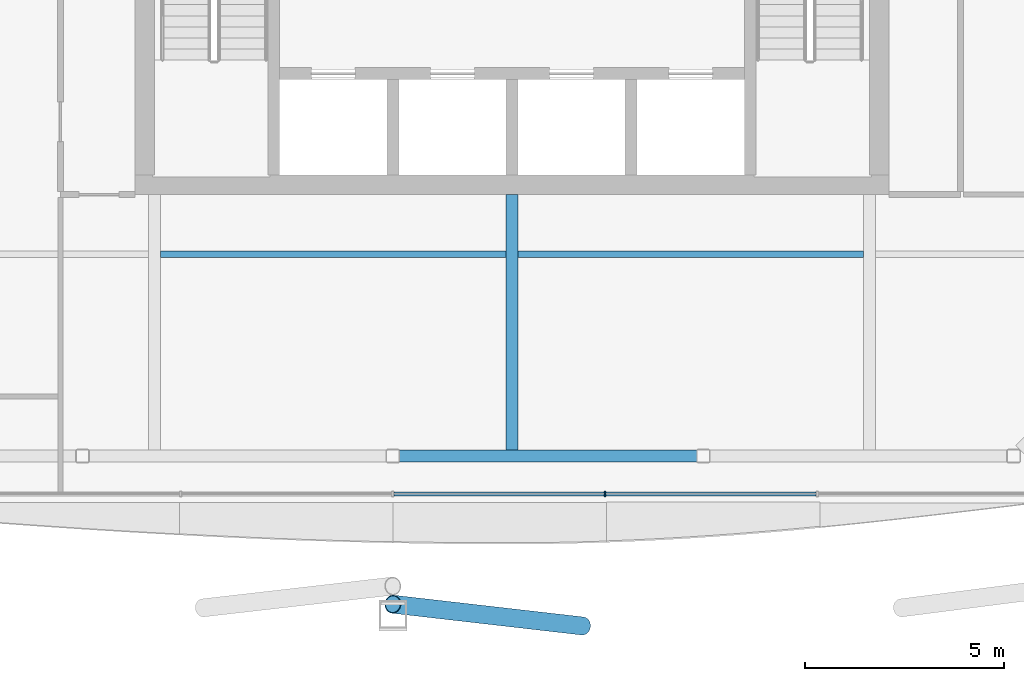
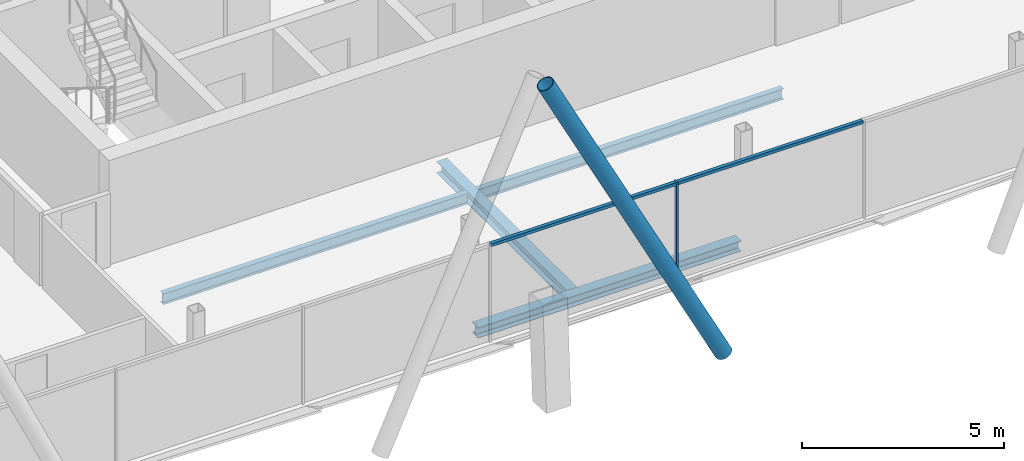
# One storey, part 5 of 20: 4 beams, 4 members, 1 element without a shape of its own.
"""IFC4 building model written with IfcOpenShell, lengths in metres."""

from ifc_helpers import new_model, si_unit, direction, frame, origin, origin_2d, place, context, subcontext, project, spatial, rectangle, hollow_circle, i_section, extrude, material, material_profile, profile_set, type_object, element, aggregate, save


model = new_model("IFC4")

# Units and contexts
model_context = context("Model", 3, precision=1e-05, world=origin(), true_north=direction((0.0, 1.0)))
body_context = subcontext(model_context, "Body", "Model", "MODEL_VIEW")
ifc_project = project(units=[si_unit("LENGTHUNIT", "METRE"), si_unit("AREAUNIT", "SQUARE_METRE"), si_unit("VOLUMEUNIT", "CUBIC_METRE"), si_unit("PLANEANGLEUNIT", "RADIAN"), si_unit("MASSUNIT", "GRAM", prefix="KILO")], contexts=[model_context])

# Site, building, storey
site_placement = place(None, origin())
site = spatial("IfcSite", under=ifc_project, at=site_placement, CompositionType="ELEMENT")
building_placement = place(site_placement, origin())
building = spatial("IfcBuilding", under=site, at=building_placement, Name="Tskaro Facet Tower", CompositionType="ELEMENT")
storey_placement = place(building_placement, frame((0.0, 0.0, 200.550048828125)))
storey = spatial("IfcBuildingStorey", under=building, at=storey_placement, Name="L51", CompositionType="ELEMENT", Elevation=200.550048828125)

# Member
ifc_material_1 = material(Name="Steel S355J2H", Category="steel")
ifc_material_profile_1 = material_profile(ifc_material_1, hollow_circle(Radius=0.228515625, WallThickness=0.02001953125, at=origin_2d()), Name="CHS 457x20")
ifc_profile_set_1 = profile_set([ifc_material_profile_1], Name="Steel S355J2H")
member_type_1 = type_object("IfcMemberType", Name="CHS 457x20 brace", PredefinedType="BRACE", material=ifc_profile_set_1)
member_1_placement = place(storey_placement, frame((1.771240234375, -22.861328125, 0.0), z_axis=(-0.450104080643, 0.051682625849, 0.891479232946), x_axis=(-0.114074179763, -0.993472234897, 0.0)))
element("IfcMember", 1, at=member_1_placement, inside=storey, type_object=member_type_1, Name="CHS 457x20 XB02B/4", PredefinedType="BRACE", context=body_context, shape_type="SweptSolid", body=[
    extrude(hollow_circle(Radius=0.228515625, WallThickness=0.02001953125, at=origin_2d()), origin(), (0.0, 0.0, 1.0), 10.600341796875),
])

# Curtain wall, members
ifc_material_2 = material(Name="Bronze anodised aluminium 6063-T6", Category="aluminium")
curtain_wall_type = type_object("IfcCurtainWallType", Name="Bronze residence curtain wall (FW3)", PredefinedType="NOTDEFINED", material=ifc_material_2)
curtain_wall_placement = place(storey_placement, origin())
curtain_wall = element("IfcCurtainWall", 2, at=curtain_wall_placement, inside=storey, type_object=curtain_wall_type, Name="FW3 south facet L51", PredefinedType="NOTDEFINED")
ifc_material_profile_2 = material_profile(ifc_material_2, rectangle(XDim=0.050048828125, YDim=0.139892578125, at=origin_2d()), Name="Mullion 50x140")
ifc_profile_set_2 = profile_set([ifc_material_profile_2], Name="Bronze anodised aluminium 6063-T6")
member_type_2 = type_object("IfcMemberType", Name="FW3 bronze mullion 50x140", PredefinedType="MULLION", material=ifc_profile_set_2)
member_2_placement = place(storey_placement, frame((2.342041015625, -19.532958984375, 0.0), z_axis=(0.0, 0.0, 1.0), x_axis=(1.0, 0.0, 0.0)))
member_2 = element("IfcMember", 3, at=member_2_placement, type_object=member_type_2, Name="FW3 south mullion 4", PredefinedType="MULLION", context=body_context, shape_type="SweptSolid", body=[
    extrude(rectangle(XDim=0.050048828125, YDim=0.139892578125, at=origin_2d()), origin(), (0.0, 0.0, 1.0), 2.949951171875),
])
ifc_material_profile_3 = material_profile(ifc_material_2, rectangle(XDim=0.10009765625, YDim=0.090087890625, at=origin_2d()), Name="Transom 100x90")
ifc_profile_set_3 = profile_set([ifc_material_profile_3], Name="Bronze anodised aluminium 6063-T6")
member_type_3 = type_object("IfcMemberType", Name="FW3 bronze transom 100x90", PredefinedType="USERDEFINED", material=ifc_profile_set_3)
member_3_placement = place(storey_placement, frame((-2.97509765625, -19.532958984375, 2.905029296875), z_axis=(1.0, 0.0, 0.0), x_axis=(0.0, 1.0, 0.0)))
member_3 = element("IfcMember", 4, at=member_3_placement, type_object=member_type_3, Name="FW3 south transom 4.1", ObjectType="TRANSOM", PredefinedType="USERDEFINED", context=body_context, shape_type="SweptSolid", body=[
    extrude(rectangle(XDim=0.10009765625, YDim=0.090087890625, at=origin_2d()), origin(), (0.0, 0.0, 1.0), 5.2919921875),
])
member_4_placement = place(storey_placement, frame((2.366943359375, -19.532958984375, 2.905029296875), z_axis=(1.0, 0.0, 0.0), x_axis=(0.0, 1.0, 0.0)))
member_4 = element("IfcMember", 5, at=member_4_placement, type_object=member_type_3, Name="FW3 south transom 5.1", ObjectType="TRANSOM", PredefinedType="USERDEFINED", context=body_context, shape_type="SweptSolid", body=[
    extrude(rectangle(XDim=0.10009765625, YDim=0.090087890625, at=origin_2d()), origin(), (0.0, 0.0, 1.0), 5.2919921875),
])
aggregate(curtain_wall, [member_2, member_3, member_4])

# Beams
ifc_material_3 = material(Name="Steel S355J2", Category="steel")
ifc_material_profile_4 = material_profile(ifc_material_3, i_section(OverallWidth=0.300048828125, OverallDepth=0.320068359375, WebThickness=0.011474609375, FlangeThickness=0.0205078125, FilletRadius=0.027099609375, at=origin_2d()), Name="HE 320 B")
ifc_profile_set_4 = profile_set([ifc_material_profile_4], Name="Steel S355J2")
beam_type_1 = type_object("IfcBeamType", Name="HE 320 B ring beam", PredefinedType="BEAM", material=ifc_profile_set_4)
beam_1_placement = place(storey_placement, frame((-2.844970703125, -18.5830078125, -0.300048828125), z_axis=(1.0, 0.0, 0.0), x_axis=(0.0, 1.0, 0.0)))
element("IfcBeam", 6, at=beam_1_placement, inside=storey, type_object=beam_type_1, Name="HE 320 B EB3-4", PredefinedType="BEAM", context=body_context, shape_type="SweptSolid", body=[
    extrude(i_section(OverallWidth=0.300048828125, OverallDepth=0.320068359375, WebThickness=0.011474609375, FlangeThickness=0.0205078125, FilletRadius=0.027099609375, at=origin_2d()), origin(), (0.0, 0.0, 1.0), 7.507080078125),
])
ifc_material_profile_5 = material_profile(ifc_material_3, i_section(OverallWidth=0.300048828125, OverallDepth=0.35009765625, WebThickness=0.010009765625, FlangeThickness=0.017578125, FilletRadius=0.027099609375, at=origin_2d()), Name="HE 360 A")
ifc_profile_set_5 = profile_set([ifc_material_profile_5], Name="Steel S355J2")
beam_type_2 = type_object("IfcBeamType", Name="HE 360 A girder", PredefinedType="BEAM", material=ifc_profile_set_5)
beam_2_placement = place(storey_placement, frame((0.0, -18.43310546875, -0.31494140625), z_axis=(0.0, 1.0, 0.0), x_axis=(-1.0, 0.0, 0.0)))
element("IfcBeam", 7, at=beam_2_placement, inside=storey, type_object=beam_type_2, Name="HE 360 A GB4-1-4", PredefinedType="BEAM", context=body_context, shape_type="SweptSolid", body=[
    extrude(i_section(OverallWidth=0.300048828125, OverallDepth=0.35009765625, WebThickness=0.010009765625, FlangeThickness=0.017578125, FilletRadius=0.027099609375, at=origin_2d()), origin(), (0.0, 0.0, 1.0), 6.43310546875),
])
ifc_material_profile_6 = material_profile(ifc_material_3, i_section(OverallWidth=0.159912109375, OverallDepth=0.330078125, WebThickness=0.007568359375, FlangeThickness=0.011474609375, FilletRadius=0.01806640625, at=origin_2d()), Name="IPE 330")
ifc_profile_set_6 = profile_set([ifc_material_profile_6], Name="Steel S355J2")
beam_type_3 = type_object("IfcBeamType", Name="IPE 330 secondary beam", PredefinedType="BEAM", material=ifc_profile_set_6)
for number, where, z_axis, x_axis, name in (
    (8, (-8.85009765625, -13.5, -0.304931640625), (1.0, 0.0, 0.0), (0.0, 1.0, 0.0), "IPE 330 SB2a-3-4"),
    (9, (0.14990234375, -13.5, -0.304931640625), (1.0, 0.0, 0.0), (0.0, 1.0, 0.0), "IPE 330 SB2a-4-4"),
):
    element("IfcBeam", number, at=place(storey_placement, frame(where, z_axis=z_axis, x_axis=x_axis)), inside=storey, type_object=beam_type_3, Name=name, PredefinedType="BEAM", context=body_context, shape_type="SweptSolid", body=[
        extrude(i_section(OverallWidth=0.159912109375, OverallDepth=0.330078125, WebThickness=0.007568359375, FlangeThickness=0.011474609375, FilletRadius=0.01806640625, at=origin_2d()), origin(), (0.0, 0.0, 1.0), 8.7001953125),
    ])

save(model, "model.ifc")
